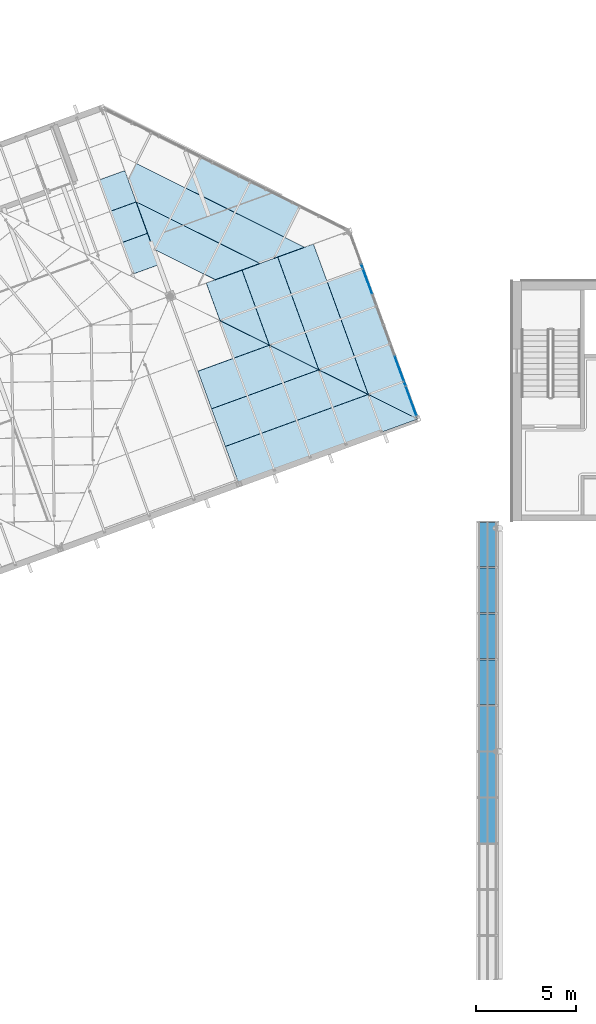
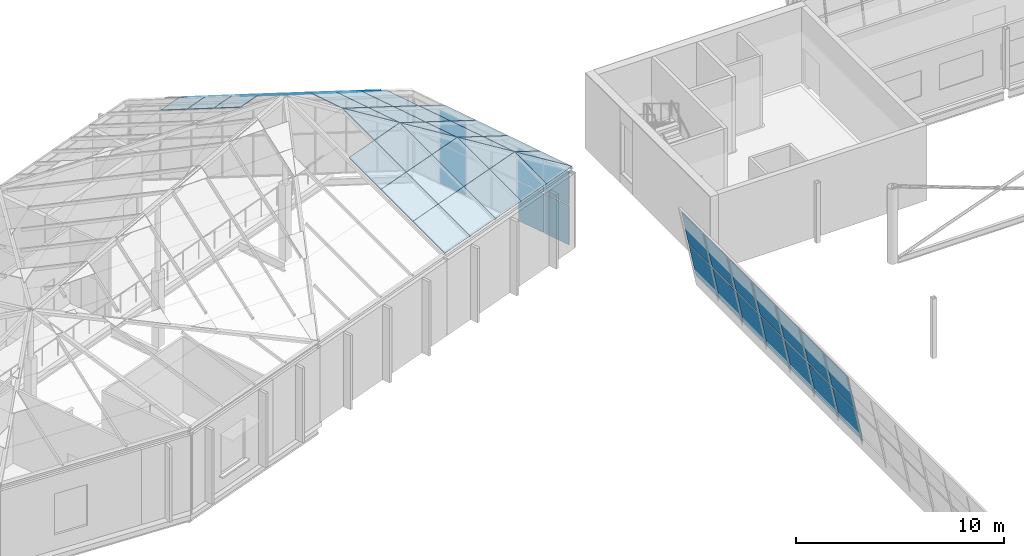
# One storey, part 42 of 95: 58 plates, 2 elements without a shape of their own.
"""IFC4 building model written with IfcOpenShell, lengths in metres."""

from ifc_helpers import new_model, si_unit, direction, frame, origin, origin_2d, place, context, subcontext, project, spatial, polyline, rectangle, outline, extrude, material, layer, layer_set, type_object, element, aggregate, save


model = new_model("IFC4")

# Units and contexts
model_context = context("Model", 3, precision=1e-05, world=origin(), true_north=direction((0.0, 1.0)))
body_context = subcontext(model_context, "Body", "Model", "MODEL_VIEW")
ifc_project = project(units=[si_unit("LENGTHUNIT", "METRE"), si_unit("AREAUNIT", "SQUARE_METRE"), si_unit("VOLUMEUNIT", "CUBIC_METRE"), si_unit("PLANEANGLEUNIT", "RADIAN"), si_unit("MASSUNIT", "GRAM", prefix="KILO")], contexts=[model_context])

# Site, building, storey
site_placement = place(None, origin())
site = spatial("IfcSite", under=ifc_project, at=site_placement, CompositionType="ELEMENT")
building_placement = place(site_placement, origin())
building = spatial("IfcBuilding", under=site, at=building_placement, Name="Windward Yard Aquatics Centre", CompositionType="ELEMENT")
storey_placement = place(building_placement, frame((0.0, 0.0, 9.39990234375)))
storey = spatial("IfcBuildingStorey", under=building, at=storey_placement, Name="L02", CompositionType="ELEMENT", Elevation=9.39990234375)

# Curtain wall, plates
ifc_material_1 = material(Name="Aluminium, anodised", Category="aluminium")
ifc_layer_1 = layer(ifc_material_1, 0.14990234375)
ifc_layer_set_1 = layer_set([ifc_layer_1], Name="F curtain wall 150 aluminium")
curtain_wall_type_1 = type_object("IfcCurtainWallType", Name="F curtain wall 150 aluminium", PredefinedType="NOTDEFINED", material=ifc_layer_set_1)
curtain_wall_1_placement = place(storey_placement, origin())
curtain_wall_1 = element("IfcCurtainWall", 1, at=curtain_wall_1_placement, inside=storey, type_object=curtain_wall_type_1, Name="Foyer glazing L02 1", PredefinedType="NOTDEFINED")
ifc_material_2 = material(Name="Laminated glass, low-e coated", Category="glass")
ifc_layer_2 = layer(ifc_material_2, 0.028076171875)
ifc_layer_set_2 = layer_set([ifc_layer_2], Name="F curtain wall glass panel 28")
plate_type_1 = type_object("IfcPlateType", Name="F curtain wall glass panel 28", PredefinedType="CURTAIN_PANEL", material=ifc_layer_set_2)
plate_1_placement = place(storey_placement, frame((46.947998046875, 89.998046875, 0.06005859375), z_axis=(0.0, 0.0, 1.0), x_axis=(-0.342019037998, 0.939693023091, 0.0)))
plate_1 = element("IfcPlate", 2, at=plate_1_placement, type_object=plate_type_1, Name="FCW1 panel 1.1", PredefinedType="CURTAIN_PANEL", context=body_context, shape_type="SweptSolid", body=[
    extrude(rectangle(XDim=1.534423828125, YDim=0.028076171875, at=origin_2d()), origin(), (0.0, 0.0, 1.0), 2.31005859375),
])
plate_2_placement = place(storey_placement, frame((46.947998046875, 89.998046875, 2.43017578125), z_axis=(0.0, 0.0, 1.0), x_axis=(-0.342019037998, 0.939693023091, 0.0)))
plate_2 = element("IfcPlate", 3, at=plate_2_placement, type_object=plate_type_1, Name="FCW1 panel 1.2", PredefinedType="CURTAIN_PANEL", context=body_context, shape_type="SweptSolid", body=[
    extrude(rectangle(XDim=1.534423828125, YDim=0.028076171875, at=origin_2d()), origin(), (0.0, 0.0, 1.0), 1.909912109375),
])
plate_3_placement = place(storey_placement, frame((46.3974609375, 91.51025390625, 0.06005859375), z_axis=(0.0, 0.0, 1.0), x_axis=(-0.342019037998, 0.939693023091, 0.0)))
plate_3 = element("IfcPlate", 4, at=plate_3_placement, type_object=plate_type_1, Name="FCW1 panel 2.1", PredefinedType="CURTAIN_PANEL", context=body_context, shape_type="SweptSolid", body=[
    extrude(rectangle(XDim=1.564208984375, YDim=0.028076171875, at=origin_2d()), origin(), (0.0, 0.0, 1.0), 2.31005859375),
])
plate_4_placement = place(storey_placement, frame((46.3974609375, 91.51025390625, 2.43017578125), z_axis=(0.0, 0.0, 1.0), x_axis=(-0.342019037998, 0.939693023091, 0.0)))
plate_4 = element("IfcPlate", 5, at=plate_4_placement, type_object=plate_type_1, Name="FCW1 panel 2.2", PredefinedType="CURTAIN_PANEL", context=body_context, shape_type="SweptSolid", body=[
    extrude(rectangle(XDim=1.564208984375, YDim=0.028076171875, at=origin_2d()), origin(), (0.0, 0.0, 1.0), 1.909912109375),
])
plate_5_placement = place(storey_placement, frame((44.73095703125, 96.08935546875, 0.06005859375), z_axis=(0.0, 0.0, 1.0), x_axis=(-0.342019037998, 0.939693023091, 0.0)))
plate_5 = element("IfcPlate", 6, at=plate_5_placement, type_object=plate_type_1, Name="FCW1 panel 5.1", PredefinedType="CURTAIN_PANEL", context=body_context, shape_type="SweptSolid", body=[
    extrude(rectangle(XDim=1.564208984375, YDim=0.028076171875, at=origin_2d()), origin(), (0.0, 0.0, 1.0), 2.31005859375),
])
plate_6_placement = place(storey_placement, frame((44.73095703125, 96.08935546875, 2.43017578125), z_axis=(0.0, 0.0, 1.0), x_axis=(-0.342019037998, 0.939693023091, 0.0)))
plate_6 = element("IfcPlate", 7, at=plate_6_placement, type_object=plate_type_1, Name="FCW1 panel 5.2", PredefinedType="CURTAIN_PANEL", context=body_context, shape_type="SweptSolid", body=[
    extrude(rectangle(XDim=1.564208984375, YDim=0.028076171875, at=origin_2d()), origin(), (0.0, 0.0, 1.0), 1.909912109375),
])
aggregate(curtain_wall_1, [plate_1, plate_2, plate_3, plate_4, plate_5, plate_6])

# Plates
ifc_layer_3 = layer(ifc_material_2, 0.035888671875)
ifc_layer_set_3 = layer_set([ifc_layer_3], Name="F roof glass panel 36")
plate_type_2 = type_object("IfcPlateType", Name="F roof glass panel 36", PredefinedType="SHEET", material=ifc_layer_set_3)
plate_7_placement = place(storey_placement, frame((44.80859375, 90.326904296875, 5.7177734375), z_axis=(0.149300634075, -0.410140603521, 0.899718848312), x_axis=(0.844479313831, -0.420438257447, -0.331792646371)))
element("IfcPlate", 8, at=plate_7_placement, inside=storey, type_object=plate_type_2, Name="F.RF.G.02.001", PredefinedType="SHEET", context=body_context, shape_type="SweptSolid", body=[
    extrude(outline(polyline([(0.0, 0.0), (2.913859, 0.0), (1.683599, -1.439403), (0.0, 0.0)])), origin(), (0.0, 0.0, -1.0), 0.035888671875),
])
plate_8_placement = place(storey_placement, frame((43.022216796875, 89.679931640625, 5.718994140625), z_axis=(0.14927256483, -0.410057045678, 0.899761591022), x_axis=(0.939685594698, 0.342039446392, -1.5108404e-05)))
element("IfcPlate", 9, at=plate_8_placement, inside=storey, type_object=plate_type_2, Name="F.RF.G.02.002", PredefinedType="SHEET", context=body_context, shape_type="SweptSolid", body=[
    extrude(outline(polyline([(0.0, 0.0), (1.895836, 0.0), (1.895805, -2.218216), (-0.000344, -2.218347), (0.0, 0.0)])), origin(), (0.0, 0.0, -1.0), 0.035888671875),
])
plate_9_placement = place(storey_placement, frame((42.339111328125, 91.556396484375, 6.687744140625), z_axis=(0.149283135331, -0.410036263534, 0.899769308263), x_axis=(0.844502788021, -0.420449944468, -0.331718080938)))
element("IfcPlate", 10, at=plate_9_placement, inside=storey, type_object=plate_type_2, Name="F.RF.G.02.003", PredefinedType="SHEET", context=body_context, shape_type="SweptSolid", body=[
    extrude(outline(polyline([(0.0, 0.0), (2.913778, 0.0), (1.68369, -1.439248), (0.0, 0.0)])), origin(), (0.0, 0.0, -1.0), 0.035888671875),
])
plate_10_placement = place(storey_placement, frame((41.236572265625, 89.030029296875, 5.718994140625), z_axis=(0.149261006241, -0.410053387369, 0.899765175767), x_axis=(0.939665718874, 0.342094045854, 2.3752389e-05)))
element("IfcPlate", 11, at=plate_10_placement, inside=storey, type_object=plate_type_2, Name="F.RF.G.02.004", PredefinedType="SHEET", context=body_context, shape_type="SweptSolid", body=[
    extrude(outline(polyline([(0.0, 0.0), (1.896149, 0.0), (1.895881, -2.218422), (-0.000184, -2.218216), (0.0, 0.0)])), origin(), (0.0, 0.0, -1.0), 0.035888671875),
])
plate_11_placement = place(storey_placement, frame((40.552490234375, 90.909423828125, 6.689208984375), z_axis=(0.149267508548, -0.410043155892, 0.899768759848), x_axis=(0.939664284359, 0.342097986653, 1.5105519e-05)))
element("IfcPlate", 12, at=plate_11_placement, inside=storey, type_object=plate_type_2, Name="F.RF.G.02.005", PredefinedType="SHEET", context=body_context, shape_type="SweptSolid", body=[
    extrude(outline(polyline([(0.0, 0.0), (1.896149, 0.0), (1.895881, -2.218422), (4.5e-05, -2.218291), (0.0, 0.0)])), origin(), (0.0, 0.0, -1.0), 0.035888671875),
])
plate_12_placement = place(storey_placement, frame((39.86962890625, 92.7861328125, 7.65771484375), z_axis=(0.149233447589, -0.410054348634, 0.899769308927), x_axis=(0.844473035803, -0.420518917224, -0.331706394359)))
element("IfcPlate", 13, at=plate_12_placement, inside=storey, type_object=plate_type_2, Name="F.RF.G.02.006", PredefinedType="SHEET", context=body_context, shape_type="SweptSolid", body=[
    extrude(outline(polyline([(0.0, 0.0), (2.91388, 0.0), (1.683788, -1.439134), (0.0, 0.0)])), origin(), (0.0, 0.0, -1.0), 0.035888671875),
])
plate_13_placement = place(storey_placement, frame((39.451171875, 88.38037109375, 5.718994140625), z_axis=(0.149229255326, -0.410043337864, 0.899775022118), x_axis=(0.93970316353, 0.341991175985, 0.0)))
element("IfcPlate", 14, at=plate_13_placement, inside=storey, type_object=plate_type_2, Name="F.RF.G.02.007", PredefinedType="SHEET", context=body_context, shape_type="SweptSolid", body=[
    extrude(outline(polyline([(0.0, 0.0), (1.896065, 0.0), (1.896039, -2.218422), (-2.6e-05, -2.218422), (0.0, 0.0)])), origin(), (0.0, 0.0, -1.0), 0.035888671875),
])
plate_14_placement = place(storey_placement, frame((38.76708984375, 90.259765625, 6.689208984375), z_axis=(0.149235757052, -0.410033108842, 0.899778605253), x_axis=(0.939701729727, 0.341995115569, -8.645008e-06)))
element("IfcPlate", 15, at=plate_14_placement, inside=storey, type_object=plate_type_2, Name="F.RF.G.02.008", PredefinedType="SHEET", context=body_context, shape_type="SweptSolid", body=[
    extrude(outline(polyline([(0.0, 0.0), (1.896065, 0.0), (1.896039, -2.218422), (0.000203, -2.218497), (0.0, 0.0)])), origin(), (0.0, 0.0, -1.0), 0.035888671875),
])
plate_15_placement = place(storey_placement, frame((38.0830078125, 92.13916015625, 7.6591796875), z_axis=(0.149224201902, -0.410029452365, 0.899782187954), x_axis=(0.93970316353, 0.341991175985, 0.0)))
element("IfcPlate", 16, at=plate_15_placement, inside=storey, type_object=plate_type_2, Name="F.RF.G.02.009", PredefinedType="SHEET", context=body_context, shape_type="SweptSolid", body=[
    extrude(outline(polyline([(0.0, 0.0), (1.896065, 0.0), (1.896268, -2.218497), (0.000203, -2.218497), (0.0, 0.0)])), origin(), (0.0, 0.0, -1.0), 0.035888671875),
])
plate_16_placement = place(storey_placement, frame((37.400146484375, 94.015625, 8.627685546875), z_axis=(0.149233447589, -0.410054348634, 0.899769308927), x_axis=(0.844473035803, -0.420518917224, -0.331706394359)))
element("IfcPlate", 17, at=plate_16_placement, inside=storey, type_object=plate_type_2, Name="F.RF.G.02.010", PredefinedType="SHEET", context=body_context, shape_type="SweptSolid", body=[
    extrude(outline(polyline([(0.0, 0.0), (2.91388, 0.0), (1.683788, -1.439134), (0.0, 0.0)])), origin(), (0.0, 0.0, -1.0), 0.035888671875),
])
for number, where, z_axis, x_axis, name in (
    (18, (37.665771484375, 87.73046875, 5.718994140625), (0.149261006241, -0.410053387369, 0.899765175767), (0.939699223428, 0.342002001347, -2.3753435e-05), "F.RF.G.02.011"),
    (19, (36.981689453125, 89.60986328125, 6.689208984375), (0.149261006241, -0.410053387369, 0.899765175767), (0.939699223428, 0.342002001347, -2.3753435e-05), "F.RF.G.02.012"),
):
    element("IfcPlate", number, at=place(storey_placement, frame(where, z_axis=z_axis, x_axis=x_axis)), inside=storey, type_object=plate_type_2, Name=name, PredefinedType="SHEET", context=body_context, shape_type="SweptSolid", body=[
        extrude(outline(polyline([(0.0, 0.0), (1.896065, 0.0), (1.896122, -2.218216), (-2.6e-05, -2.218422), (0.0, 0.0)])), origin(), (0.0, 0.0, -1.0), 0.035888671875),
    ])
plate_17_placement = place(storey_placement, frame((36.297607421875, 91.4892578125, 7.6591796875), z_axis=(0.149255950722, -0.410039498728, 0.899772343794), x_axis=(0.939699223695, 0.342002000613, -2.3752819e-05)))
element("IfcPlate", 20, at=plate_17_placement, inside=storey, type_object=plate_type_2, Name="F.RF.G.02.013", PredefinedType="SHEET", context=body_context, shape_type="SweptSolid", body=[
    extrude(outline(polyline([(0.0, 0.0), (1.896065, 0.0), (1.896352, -2.218291), (0.000203, -2.218497), (0.0, 0.0)])), origin(), (0.0, 0.0, -1.0), 0.035888671875),
])
for number, where, z_axis, x_axis, name in (
    (21, (40.285888671875, 97.197509765625, 6.689208984375), (0.42729759019, 0.155550339881, 0.890629474687), (0.836913919832, 0.304624280487, -0.454729742297), "F.RF.G.03.002"),
    (22, (38.50048828125, 96.547607421875, 7.6591796875), (0.42729759019, 0.155550339881, 0.890629474687), (0.836913919832, 0.304624280487, -0.454729742297), "F.RF.G.03.003"),
):
    element("IfcPlate", number, at=place(storey_placement, frame(where, z_axis=z_axis, x_axis=x_axis)), inside=storey, type_object=plate_type_2, Name=name, PredefinedType="SHEET", context=body_context, shape_type="SweptSolid", body=[
        extrude(outline(polyline([(0.0, 0.0), (2.128673, 0.0), (2.12885, -1.995935), (-2.7e-05, -1.995851), (0.0, 0.0)])), origin(), (0.0, 0.0, -1.0), 0.035888671875),
    ])
plate_18_placement = place(storey_placement, frame((36.715087890625, 95.897705078125, 8.629150390625), z_axis=(0.427293379421, 0.155538683443, 0.890633530615), x_axis=(0.83688086484, 0.304726936054, -0.454721796825)))
element("IfcPlate", 23, at=plate_18_placement, inside=storey, type_object=plate_type_2, Name="F.RF.G.03.004", PredefinedType="SHEET", context=body_context, shape_type="SweptSolid", body=[
    extrude(outline(polyline([(0.0, 0.0), (2.128748, 0.0), (2.128635, -1.996164), (-0.000243, -1.995851), (0.0, 0.0)])), origin(), (0.0, 0.0, -1.0), 0.035888671875),
])
plate_19_placement = place(storey_placement, frame((42.75537109375, 95.968017578125, 5.718994140625), z_axis=(0.427292527652, 0.155500443488, 0.890640616572), x_axis=(0.836937804976, 0.304591231847, -0.45470791953)))
element("IfcPlate", 24, at=plate_19_placement, inside=storey, type_object=plate_type_2, Name="F.RF.G.03.006", PredefinedType="SHEET", context=body_context, shape_type="SweptSolid", body=[
    extrude(outline(polyline([(0.0, 0.0), (2.128878, 0.0), (2.128854, -1.996081), (-2.4e-05, -1.996081), (0.0, 0.0)])), origin(), (0.0, 0.0, -1.0), 0.035888671875),
])
plate_20_placement = place(storey_placement, frame((40.969970703125, 95.318115234375, 6.689208984375), z_axis=(0.42728181247, 0.155506664193, 0.89064467108), x_axis=(0.83694161499, 0.304592618478, -0.45469997786)))
element("IfcPlate", 25, at=plate_20_placement, inside=storey, type_object=plate_type_2, Name="F.RF.G.03.007", PredefinedType="SHEET", context=body_context, shape_type="SweptSolid", body=[
    extrude(outline(polyline([(0.0, 0.0), (2.128878, 0.0), (2.128929, -1.995851), (-2.4e-05, -1.996081), (0.0, 0.0)])), origin(), (0.0, 0.0, -1.0), 0.035888671875),
])
plate_21_placement = place(storey_placement, frame((39.1845703125, 94.668212890625, 7.6591796875), z_axis=(0.427311257343, 0.155489569789, 0.890633529031), x_axis=(0.83689428733, 0.30469007147, -0.454721796467)))
element("IfcPlate", 26, at=plate_21_placement, inside=storey, type_object=plate_type_2, Name="F.RF.G.03.008", PredefinedType="SHEET", context=body_context, shape_type="SweptSolid", body=[
    extrude(outline(polyline([(0.0, 0.0), (2.128952, 0.0), (2.128509, -1.995997), (-0.000164, -1.995851), (0.0, 0.0)])), origin(), (0.0, 0.0, -1.0), 0.035888671875),
])
plate_22_placement = place(storey_placement, frame((37.401611328125, 94.019287109375, 8.627685546875), z_axis=(0.427245765127, 0.155448172399, 0.890672174191), x_axis=(0.836943863774, 0.304666859302, -0.454646097239)))
element("IfcPlate", 27, at=plate_22_placement, inside=storey, type_object=plate_type_2, Name="F.RF.G.03.009", PredefinedType="SHEET", context=body_context, shape_type="SweptSolid", body=[
    extrude(outline(polyline([(0.0, 0.0), (2.125945, 0.0), (2.125655, -1.99291), (0.0, 0.0)])), origin(), (0.0, 0.0, -1.0), 0.035888671875),
])
plate_23_placement = place(storey_placement, frame((43.439453125, 94.088623046875, 5.718994140625), z_axis=(0.427304097112, 0.155532462264, 0.890629475019), x_axis=(0.836913920151, 0.304624280107, -0.454729741964)))
element("IfcPlate", 28, at=plate_23_placement, inside=storey, type_object=plate_type_2, Name="F.RF.G.03.010", PredefinedType="SHEET", context=body_context, shape_type="SweptSolid", body=[
    extrude(outline(polyline([(0.0, 0.0), (2.128673, 0.0), (2.128776, -1.996164), (-0.000102, -1.996081), (0.0, 0.0)])), origin(), (0.0, 0.0, -1.0), 0.035888671875),
])
plate_24_placement = place(storey_placement, frame((41.654052734375, 93.438720703125, 6.689208984375), z_axis=(0.427293379421, 0.155538683443, 0.890633530615), x_axis=(0.836917731076, 0.304625667566, -0.454721798544)))
element("IfcPlate", 29, at=plate_24_placement, inside=storey, type_object=plate_type_2, Name="F.RF.G.03.011", PredefinedType="SHEET", context=body_context, shape_type="SweptSolid", body=[
    extrude(outline(polyline([(0.0, 0.0), (2.128673, 0.0), (2.12885, -1.995935), (-0.000102, -1.996081), (0.0, 0.0)])), origin(), (0.0, 0.0, -1.0), 0.035888671875),
])
plate_25_placement = place(storey_placement, frame((39.87109375, 92.789794921875, 7.65771484375), z_axis=(0.42726892999, 0.1555122999, 0.890649867257), x_axis=(0.83690946178, 0.304696144106, -0.454689798159)))
element("IfcPlate", 30, at=plate_25_placement, inside=storey, type_object=plate_type_2, Name="F.RF.G.03.012", PredefinedType="SHEET", context=body_context, shape_type="SweptSolid", body=[
    extrude(outline(polyline([(0.0, 0.0), (2.125741, 0.0), (2.125577, -1.992994), (0.0, 0.0)])), origin(), (0.0, 0.0, -1.0), 0.035888671875),
])
plate_26_placement = place(storey_placement, frame((44.123291015625, 92.209228515625, 5.718994140625), z_axis=(0.427274654758, 0.155549552175, 0.890640615636), x_axis=(0.836937804976, 0.304591231847, -0.45470791953)))
element("IfcPlate", 31, at=plate_26_placement, inside=storey, type_object=plate_type_2, Name="F.RF.G.03.013", PredefinedType="SHEET", context=body_context, shape_type="SweptSolid", body=[
    extrude(outline(polyline([(0.0, 0.0), (2.128878, 0.0), (2.129059, -1.996164), (0.000181, -1.996164), (0.0, 0.0)])), origin(), (0.0, 0.0, -1.0), 0.035888671875),
])
plate_27_placement = place(storey_placement, frame((42.340576171875, 91.560302734375, 6.687744140625), z_axis=(0.427283878599, 0.155517740718, 0.890641745828), x_axis=(0.836938744814, 0.304591951592, -0.454705707523)))
element("IfcPlate", 32, at=plate_27_placement, inside=storey, type_object=plate_type_2, Name="F.RF.G.03.014", PredefinedType="SHEET", context=body_context, shape_type="SweptSolid", body=[
    extrude(outline(polyline([(0.0, 0.0), (2.125667, 0.0), (2.125717, -1.992994), (0.0, 0.0)])), origin(), (0.0, 0.0, -1.0), 0.035888671875),
])
plate_28_placement = place(storey_placement, frame((44.81005859375, 90.330810546875, 5.7177734375), z_axis=(0.427369484377, 0.155548898498, 0.890595230169), x_axis=(0.836895033909, 0.304576043629, -0.454796807229)))
element("IfcPlate", 33, at=plate_28_placement, inside=storey, type_object=plate_type_2, Name="F.RF.G.03.015", PredefinedType="SHEET", context=body_context, shape_type="SweptSolid", body=[
    extrude(outline(polyline([(0.0, 0.0), (2.125778, 0.0), (2.125828, -1.992994), (0.0, 0.0)])), origin(), (0.0, 0.0, -1.0), 0.035888671875),
])
plate_29_placement = place(storey_placement, frame((32.810302734375, 101.070556640625, 6.594970703125), z_axis=(0.256597665018, 0.515332044717, 0.817673848179), x_axis=(0.364515793584, 0.731928110877, -0.575681749524)))
element("IfcPlate", 34, at=plate_29_placement, inside=storey, type_object=plate_type_2, Name="F.RF.G.04.004", PredefinedType="SHEET", context=body_context, shape_type="SweptSolid", body=[
    extrude(outline(polyline([(0.0, 0.0), (1.095775, 0.0), (1.096045, -2.7548), (-1.004987, -2.754808), (-1.005039, -0.865285), (0.0, 0.0)])), origin(), (0.0, 0.0, -1.0), 0.035888671875),
])
plate_30_placement = place(storey_placement, frame((33.220703125, 99.943603515625, 7.176513671875), z_axis=(0.256522356353, 0.515408643944, 0.817649197663), x_axis=(0.895217500341, -0.445629470441, 4.6448312e-05)))
element("IfcPlate", 35, at=plate_30_placement, inside=storey, type_object=plate_type_2, Name="F.RF.G.04.005", PredefinedType="SHEET", context=body_context, shape_type="SweptSolid", body=[
    extrude(outline(polyline([(0.0, 0.0), (1.885047, 0.0), (1.88501, -2.101084), (1.807927, -2.101242), (0.0, 0.0)])), origin(), (0.0, 0.0, -1.0), 0.035888671875),
])
plate_31_placement = place(storey_placement, frame((35.680908203125, 100.646484375, 5.961181640625), z_axis=(0.256613725694, 0.515396089954, 0.817628440213), x_axis=(0.364492181075, 0.731889143389, -0.575746239002)))
element("IfcPlate", 36, at=plate_31_placement, inside=storey, type_object=plate_type_2, Name="F.RF.G.04.006", PredefinedType="SHEET", context=body_context, shape_type="SweptSolid", body=[
    extrude(outline(polyline([(0.0, 0.0), (2.101173, 0.0), (2.101344, -2.754582), (0.00026, -2.7548), (0.0, 0.0)])), origin(), (0.0, 0.0, -1.0), 0.035888671875),
])
plate_32_placement = place(storey_placement, frame((34.91357421875, 99.105224609375, 7.173583984375), z_axis=(0.256594712495, 0.51533239137, 0.817674556242), x_axis=(0.364419623434, 0.731976788269, -0.575680744417)))
element("IfcPlate", 37, at=plate_32_placement, inside=storey, type_object=plate_type_2, Name="F.RF.G.04.007", PredefinedType="SHEET", context=body_context, shape_type="SweptSolid", body=[
    extrude(outline(polyline([(0.0, 0.0), (2.100943, 0.0), (2.100828, -2.754582), (-0.000115, -2.754582), (0.0, 0.0)])), origin(), (0.0, 0.0, -1.0), 0.035888671875),
])
plate_33_placement = place(storey_placement, frame((34.14599609375, 97.563720703125, 8.38623046875), z_axis=(0.256613725694, 0.515396089954, 0.817628440213), x_axis=(0.364492181075, 0.731889143389, -0.575746239002)))
element("IfcPlate", 38, at=plate_33_placement, inside=storey, type_object=plate_type_2, Name="F.RF.G.04.008", PredefinedType="SHEET", context=body_context, shape_type="SweptSolid", body=[
    extrude(outline(polyline([(0.0, 0.0), (2.101173, 0.0), (2.101344, -2.754582), (0.00026, -2.7548), (0.0, 0.0)])), origin(), (0.0, 0.0, -1.0), 0.035888671875),
])
plate_34_placement = place(storey_placement, frame((38.150390625, 99.4169921875, 5.961181640625), z_axis=(0.256613725694, 0.515396089954, 0.817628440213), x_axis=(0.364399070675, 0.73193550519, -0.575746240573)))
element("IfcPlate", 39, at=plate_34_placement, inside=storey, type_object=plate_type_2, Name="F.RF.G.04.010", PredefinedType="SHEET", context=body_context, shape_type="SweptSolid", body=[
    extrude(outline(polyline([(0.0, 0.0), (2.101084, 0.0), (2.101057, -2.7548), (-0.000115, -2.754582), (0.0, 0.0)])), origin(), (0.0, 0.0, -1.0), 0.035888671875),
])
plate_35_placement = place(storey_placement, frame((37.383056640625, 97.87548828125, 7.173583984375), z_axis=(0.256592171441, 0.51534621694, 0.817666640044), x_axis=(0.364416095021, 0.731969701714, -0.57569198836)))
element("IfcPlate", 40, at=plate_35_placement, inside=storey, type_object=plate_type_2, Name="F.RF.G.04.011", PredefinedType="SHEET", context=body_context, shape_type="SweptSolid", body=[
    extrude(outline(polyline([(0.0, 0.0), (2.100943, 0.0), (2.100828, -2.754582), (0.658962, -2.754633), (-2.2e-05, -2.242622), (0.0, 0.0)])), origin(), (0.0, 0.0, -1.0), 0.035888671875),
])
plate_36_placement = place(storey_placement, frame((36.615478515625, 96.334228515625, 8.38623046875), z_axis=(0.256624120182, 0.515421346848, 0.817609256402), x_axis=(0.364390520349, 0.731918332199, -0.575773482952)))
element("IfcPlate", 41, at=plate_36_placement, inside=storey, type_object=plate_type_2, Name="F.RF.G.04.012", PredefinedType="SHEET", context=body_context, shape_type="SweptSolid", body=[
    extrude(outline(polyline([(0.0, 0.0), (2.101084, 0.0), (2.100978, -2.239128), (4.1e-05, -0.607058), (0.0, 0.0)])), origin(), (0.0, 0.0, -1.0), 0.035888671875),
])
plate_37_placement = place(storey_placement, frame((40.094482421875, 97.132080078125, 6.79150390625), z_axis=(0.256686332369, 0.515387866562, 0.817610832717), x_axis=(0.364422931577, 0.731903957685, -0.575771242478)))
element("IfcPlate", 42, at=plate_37_placement, inside=storey, type_object=plate_type_2, Name="F.RF.G.04.015", PredefinedType="SHEET", context=body_context, shape_type="SweptSolid", body=[
    extrude(outline(polyline([(0.0, 0.0), (1.437016, 0.0), (1.436918, -1.11607), (0.0, 0.0)])), origin(), (0.0, 0.0, -1.0), 0.035888671875),
])
plate_38_placement = place(storey_placement, frame((31.374267578125, 101.04833984375, 6.36767578125), z_axis=(-0.149251335498, 0.410077000937, 0.899756018126), x_axis=(0.939672450294, 0.342075554595, -3.3286118e-05)))
element("IfcPlate", 43, at=plate_38_placement, inside=storey, type_object=plate_type_2, Name="F.RF.G.05.023", PredefinedType="SHEET", context=body_context, shape_type="SweptSolid", body=[
    extrude(outline(polyline([(0.0, 0.0), (1.353122, 0.0), (1.352904, -1.84797), (-0.000135, -1.847763), (0.0, 0.0)])), origin(), (0.0, 0.0, -1.0), 0.035888671875),
])
plate_39_placement = place(storey_placement, frame((31.944091796875, 99.482421875, 7.176025390625), z_axis=(-0.149235650042, 0.410073269977, 0.899760320312), x_axis=(0.939738479895, 0.341894117153, 4.5394655e-05)))
element("IfcPlate", 44, at=plate_39_placement, inside=storey, type_object=plate_type_2, Name="F.RF.G.05.024", PredefinedType="SHEET", context=body_context, shape_type="SweptSolid", body=[
    extrude(outline(polyline([(0.0, 0.0), (1.353268, 0.0), (1.353517, -1.847763), (0.000395, -1.848045), (0.0, 0.0)])), origin(), (0.0, 0.0, -1.0), 0.035888671875),
])
plate_40_placement = place(storey_placement, frame((32.514404296875, 97.916015625, 7.984375), z_axis=(-0.149251335498, 0.410077000937, 0.899756018126), x_axis=(0.939672450294, 0.342075554595, -3.3286118e-05)))
element("IfcPlate", 45, at=plate_40_placement, inside=storey, type_object=plate_type_2, Name="F.RF.G.05.025", PredefinedType="SHEET", context=body_context, shape_type="SweptSolid", body=[
    extrude(outline(polyline([(0.0, 0.0), (1.353122, 0.0), (1.352904, -1.84797), (-0.000135, -1.847763), (0.0, 0.0)])), origin(), (0.0, 0.0, -1.0), 0.035888671875),
])

# Curtain wall, plates
ifc_material_3 = material(Name="Glass and aluminium curtain wall", Category="aluminium")
ifc_layer_4 = layer(ifc_material_3, 0.179931640625)
ifc_layer_set_4 = layer_set([ifc_layer_4], Name="H curtain wall tier 1 double glazed 8+16+8")
curtain_wall_type_2 = type_object("IfcCurtainWallType", Name="H curtain wall tier 1 double glazed 8+16+8", PredefinedType="NOTDEFINED", material=ifc_layer_set_4)
curtain_wall_2_placement = place(storey_placement, origin())
curtain_wall_2 = element("IfcCurtainWall", 46, at=curtain_wall_2_placement, inside=storey, type_object=curtain_wall_type_2, Name="Tier 1 glazing W L02", PredefinedType="NOTDEFINED")
ifc_material_4 = material(Name="Low-iron glass", Category="glass")
ifc_layer_5 = layer(ifc_material_4, 0.008, Name="Outer pane")
ifc_material_5 = material(Name="Argon-filled cavity")
ifc_layer_6 = layer(ifc_material_5, 0.016, Name="Cavity")
ifc_layer_7 = layer(ifc_material_4, 0.008, Name="Inner pane")
ifc_layer_set_5 = layer_set([ifc_layer_5, ifc_layer_6, ifc_layer_7], Name="H tier 1 glass low-e double glazed unit 32")
plate_type_3 = type_object("IfcPlateType", Name="H tier 1 glass low-e double glazed unit 32", PredefinedType="CURTAIN_PANEL", material=ifc_layer_set_5)
plate_41_placement = place(storey_placement, frame((50.7900390625, 67.9326171875, 2.079345703125), z_axis=(0.979933459069, 0.0, 0.199324900092), x_axis=(0.199324900092, 0.0, -0.979933459069)))
plate_41 = element("IfcPlate", 47, at=plate_41_placement, type_object=plate_type_3, Name="G1WA panel 14.1", PredefinedType="CURTAIN_PANEL", context=body_context, shape_type="SweptSolid", body=[
    extrude(outline(polyline([(0.0, 0.0), (2.018532, 0.0), (2.018532, 2.234863), (0.0, 2.234863), (0.0, 0.0)])), origin(), (0.0, 0.0, -1.0), 0.031982421875),
])
plate_42_placement = place(storey_placement, frame((50.368896484375, 67.9326171875, 4.14892578125), z_axis=(0.979926619255, 0.0, 0.199358523457), x_axis=(0.199358523457, 0.0, -0.979926619255)))
plate_42 = element("IfcPlate", 48, at=plate_42_placement, type_object=plate_type_3, Name="G1WA panel 14.2", PredefinedType="CURTAIN_PANEL", context=body_context, shape_type="SweptSolid", body=[
    extrude(outline(polyline([(0.0, 0.0), (2.012069, 0.0), (2.012069, 2.234863), (0.0, 2.234863), (0.0, 0.0)])), origin(), (0.0, 0.0, -1.0), 0.031982421875),
])
plate_43_placement = place(storey_placement, frame((50.7900390625, 70.232421875, 2.079345703125), z_axis=(0.979933459069, 0.0, 0.199324900092), x_axis=(0.199324900092, 0.0, -0.979933459069)))
plate_43 = element("IfcPlate", 49, at=plate_43_placement, type_object=plate_type_3, Name="G1WA panel 15.1", PredefinedType="CURTAIN_PANEL", context=body_context, shape_type="SweptSolid", body=[
    extrude(outline(polyline([(0.0, 0.0), (2.018532, 0.0), (2.018532, 2.235107), (0.0, 2.235107), (0.0, 0.0)])), origin(), (0.0, 0.0, -1.0), 0.031982421875),
])
plate_44_placement = place(storey_placement, frame((50.368896484375, 70.232421875, 4.14892578125), z_axis=(0.979926619255, 0.0, 0.199358523457), x_axis=(0.199358523457, 0.0, -0.979926619255)))
plate_44 = element("IfcPlate", 50, at=plate_44_placement, type_object=plate_type_3, Name="G1WA panel 15.2", PredefinedType="CURTAIN_PANEL", context=body_context, shape_type="SweptSolid", body=[
    extrude(outline(polyline([(0.0, 0.0), (2.012069, 0.0), (2.012069, 2.235107), (0.0, 2.235107), (0.0, 0.0)])), origin(), (0.0, 0.0, -1.0), 0.031982421875),
])
plate_45_placement = place(storey_placement, frame((50.7900390625, 72.532470703125, 2.079345703125), z_axis=(0.979933459069, 0.0, 0.199324900092), x_axis=(0.199324900092, 0.0, -0.979933459069)))
plate_45 = element("IfcPlate", 51, at=plate_45_placement, type_object=plate_type_3, Name="G1WA panel 16.1", PredefinedType="CURTAIN_PANEL", context=body_context, shape_type="SweptSolid", body=[
    extrude(outline(polyline([(0.0, 0.0), (2.018532, 0.0), (2.018532, 2.235107), (0.0, 2.235107), (0.0, 0.0)])), origin(), (0.0, 0.0, -1.0), 0.031982421875),
])
plate_46_placement = place(storey_placement, frame((50.368896484375, 72.532470703125, 4.14892578125), z_axis=(0.979926619255, 0.0, 0.199358523457), x_axis=(0.199358523457, 0.0, -0.979926619255)))
plate_46 = element("IfcPlate", 52, at=plate_46_placement, type_object=plate_type_3, Name="G1WA panel 16.2", PredefinedType="CURTAIN_PANEL", context=body_context, shape_type="SweptSolid", body=[
    extrude(outline(polyline([(0.0, 0.0), (2.012069, 0.0), (2.012069, 2.235107), (0.0, 2.235107), (0.0, 0.0)])), origin(), (0.0, 0.0, -1.0), 0.031982421875),
])
plate_47_placement = place(storey_placement, frame((50.7900390625, 74.83251953125, 2.079345703125), z_axis=(0.979933459069, 0.0, 0.199324900092), x_axis=(0.199324900092, 0.0, -0.979933459069)))
plate_47 = element("IfcPlate", 53, at=plate_47_placement, type_object=plate_type_3, Name="G1WA panel 17.1", PredefinedType="CURTAIN_PANEL", context=body_context, shape_type="SweptSolid", body=[
    extrude(outline(polyline([(0.0, 0.0), (2.018532, 0.0), (2.018532, 2.234863), (0.0, 2.234863), (0.0, 0.0)])), origin(), (0.0, 0.0, -1.0), 0.031982421875),
])
plate_48_placement = place(storey_placement, frame((50.368896484375, 74.83251953125, 4.14892578125), z_axis=(0.979926619255, 0.0, 0.199358523457), x_axis=(0.199358523457, 0.0, -0.979926619255)))
plate_48 = element("IfcPlate", 54, at=plate_48_placement, type_object=plate_type_3, Name="G1WA panel 17.2", PredefinedType="CURTAIN_PANEL", context=body_context, shape_type="SweptSolid", body=[
    extrude(outline(polyline([(0.0, 0.0), (2.012069, 0.0), (2.012069, 2.234863), (0.0, 2.234863), (0.0, 0.0)])), origin(), (0.0, 0.0, -1.0), 0.031982421875),
])
plate_49_placement = place(storey_placement, frame((50.7900390625, 77.132568359375, 2.079345703125), z_axis=(0.979933459069, 0.0, 0.199324900092), x_axis=(0.199324900092, 0.0, -0.979933459069)))
plate_49 = element("IfcPlate", 55, at=plate_49_placement, type_object=plate_type_3, Name="G1WA panel 18.1", PredefinedType="CURTAIN_PANEL", context=body_context, shape_type="SweptSolid", body=[
    extrude(outline(polyline([(0.0, 0.0), (2.018532, 0.0), (2.018532, 2.234863), (0.0, 2.234863), (0.0, 0.0)])), origin(), (0.0, 0.0, -1.0), 0.031982421875),
])
plate_50_placement = place(storey_placement, frame((50.368896484375, 77.132568359375, 4.14892578125), z_axis=(0.979926619255, 0.0, 0.199358523457), x_axis=(0.199358523457, 0.0, -0.979926619255)))
plate_50 = element("IfcPlate", 56, at=plate_50_placement, type_object=plate_type_3, Name="G1WA panel 18.2", PredefinedType="CURTAIN_PANEL", context=body_context, shape_type="SweptSolid", body=[
    extrude(outline(polyline([(0.0, 0.0), (2.012069, 0.0), (2.012069, 2.234863), (0.0, 2.234863), (0.0, 0.0)])), origin(), (0.0, 0.0, -1.0), 0.031982421875),
])
plate_51_placement = place(storey_placement, frame((50.7900390625, 79.4326171875, 2.079345703125), z_axis=(0.979933459069, 0.0, 0.199324900092), x_axis=(0.199324900092, 0.0, -0.979933459069)))
plate_51 = element("IfcPlate", 57, at=plate_51_placement, type_object=plate_type_3, Name="G1WA panel 19.1", PredefinedType="CURTAIN_PANEL", context=body_context, shape_type="SweptSolid", body=[
    extrude(outline(polyline([(0.0, 0.0), (2.018532, 0.0), (2.018532, 2.234863), (0.0, 2.234863), (0.0, 0.0)])), origin(), (0.0, 0.0, -1.0), 0.031982421875),
])
plate_52_placement = place(storey_placement, frame((50.368896484375, 79.4326171875, 4.14892578125), z_axis=(0.979926619255, 0.0, 0.199358523457), x_axis=(0.199358523457, 0.0, -0.979926619255)))
plate_52 = element("IfcPlate", 58, at=plate_52_placement, type_object=plate_type_3, Name="G1WA panel 19.2", PredefinedType="CURTAIN_PANEL", context=body_context, shape_type="SweptSolid", body=[
    extrude(outline(polyline([(0.0, 0.0), (2.012069, 0.0), (2.012069, 2.234863), (0.0, 2.234863), (0.0, 0.0)])), origin(), (0.0, 0.0, -1.0), 0.031982421875),
])
plate_53_placement = place(storey_placement, frame((50.7900390625, 81.732421875, 2.079345703125), z_axis=(0.979933459069, 0.0, 0.199324900092), x_axis=(0.199324900092, 0.0, -0.979933459069)))
plate_53 = element("IfcPlate", 59, at=plate_53_placement, type_object=plate_type_3, Name="G1WA panel 20.1", PredefinedType="CURTAIN_PANEL", context=body_context, shape_type="SweptSolid", body=[
    extrude(outline(polyline([(0.0, 0.0), (2.018532, 0.0), (2.018532, 2.202637), (0.0, 2.202637), (0.0, 0.0)])), origin(), (0.0, 0.0, -1.0), 0.031982421875),
])
plate_54_placement = place(storey_placement, frame((50.368896484375, 81.732421875, 4.14892578125), z_axis=(0.979926619255, 0.0, 0.199358523457), x_axis=(0.199358523457, 0.0, -0.979926619255)))
plate_54 = element("IfcPlate", 60, at=plate_54_placement, type_object=plate_type_3, Name="G1WA panel 20.2", PredefinedType="CURTAIN_PANEL", context=body_context, shape_type="SweptSolid", body=[
    extrude(outline(polyline([(0.0, 0.0), (2.012069, 0.0), (2.012069, 2.202637), (0.0, 2.202637), (0.0, 0.0)])), origin(), (0.0, 0.0, -1.0), 0.031982421875),
])
aggregate(curtain_wall_2, [plate_41, plate_42, plate_43, plate_44, plate_45, plate_46, plate_47, plate_48, plate_49, plate_50, plate_51, plate_52, plate_53, plate_54])

save(model, "model.ifc")
